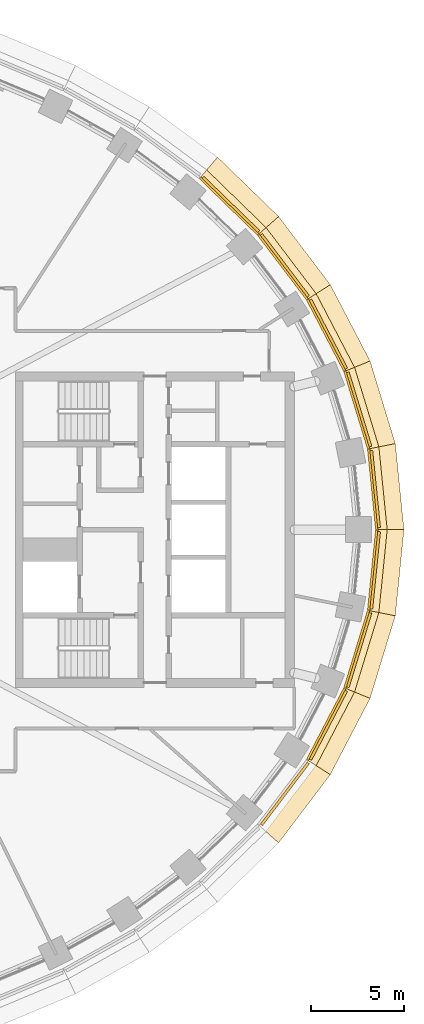
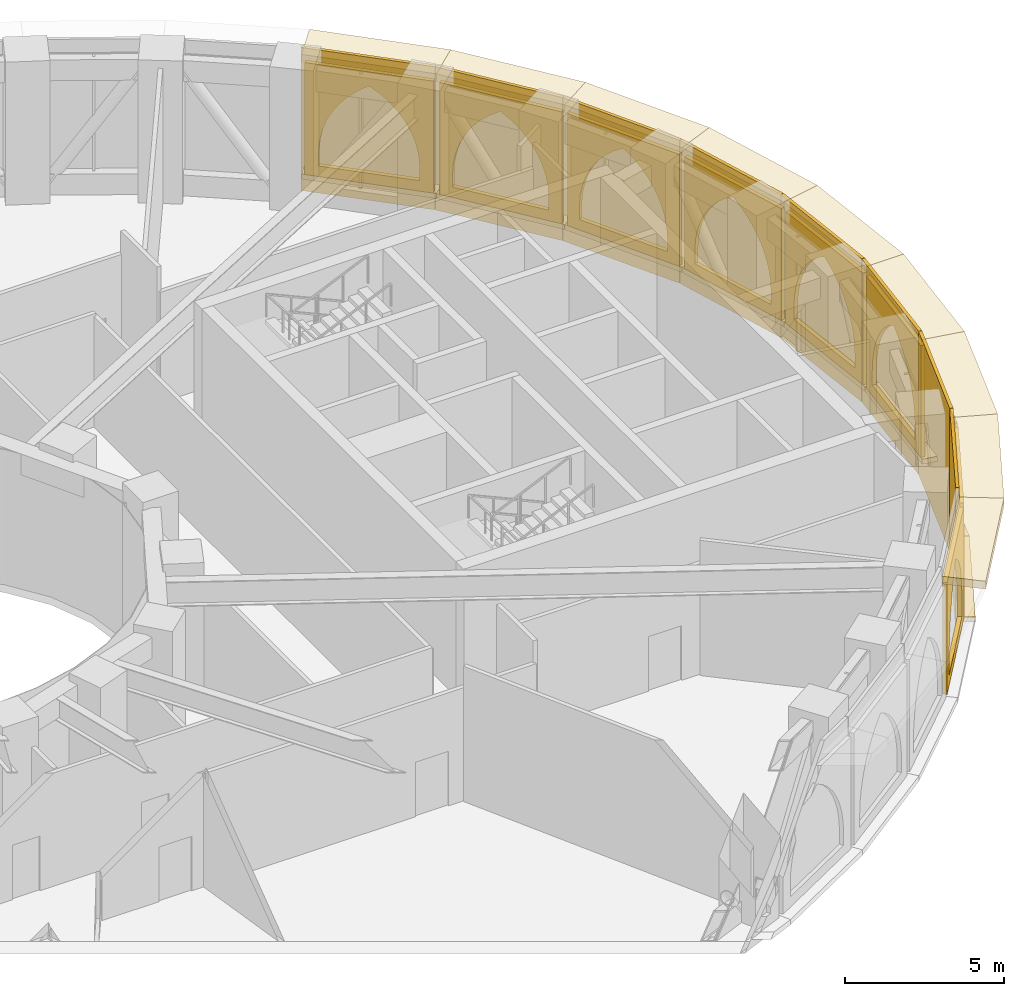
# One storey, part 25 of 25: 34 coverings.
"""IFC4 building model written with IfcOpenShell, lengths in metres."""

import ifcopenshell
import ifcopenshell.guid

model = None  # the IFC model being written
_history = None  # IfcOwnerHistory: only IFC2X3 demands one
_inside = {}  # id of a spatial element -> (the spatial element, [elements in it])
_under = {}  # id of a project, library or spatial element -> (it, [spatial elements below it])
_declared = {}  # id of a project -> (the project, [libraries it declares])
_typed = {}  # id of a type object -> (the type object, [elements of that type])
_made_of = {}  # id of a material, layer set ... -> (it, [elements and type objects made of it])


def new_model(schema):
    """Start an empty IFC model of exactly this schema.

    Asked for "IFC4X3", IfcOpenShell would pick the latest addendum, in which some entities
    have other attributes; the version numbers below select the first issue.
    IFC2X3 requires an IfcOwnerHistory on every rooted entity: one is made here for all.
    """
    global model, _history
    if schema == "IFC4X3":
        model = ifcopenshell.file(schema_version=(4, 3, 0, 0))
    else:
        model = ifcopenshell.file(schema=schema)
    _inside.clear()
    _under.clear()
    _declared.clear()
    _typed.clear()
    _made_of.clear()
    _history = None
    if model.schema == "IFC2X3":
        org = make("IfcOrganization", Name="unknown")
        user = make(
            "IfcPersonAndOrganization",
            ThePerson=make("IfcPerson", FamilyName="unknown"),
            TheOrganization=org,
        )
        app = make(
            "IfcApplication",
            ApplicationDeveloper=org,
            Version="unknown",
            ApplicationFullName="unknown",
            ApplicationIdentifier="unknown",
        )
        _history = make(
            "IfcOwnerHistory",
            OwningUser=user,
            OwningApplication=app,
            ChangeAction="ADDED",
            CreationDate=0,
        )
    return model


def make(cls, **values):
    """One entity of the class cls with the attributes given. An attribute that is None is left unset."""
    return model.create_entity(
        cls, **{name: value for name, value in values.items() if value is not None}
    )


def rooted(cls, **values):
    """An entity with a GlobalId (a new one), such as an element, a storey or a relation."""
    return make(cls, GlobalId=ifcopenshell.guid.new(), OwnerHistory=_history, **values)


def si_unit(unit_type, name, prefix=None):
    """IfcSIUnit, for example si_unit("LENGTHUNIT", "METRE", prefix="MILLI")."""
    return make("IfcSIUnit", UnitType=unit_type, Prefix=prefix, Name=name)


def assignment(units):
    """IfcUnitAssignment: the units of a project."""
    return None if units is None else make("IfcUnitAssignment", Units=units)


def point(xyz):
    """IfcCartesianPoint."""
    return None if xyz is None else make("IfcCartesianPoint", Coordinates=xyz)


def direction(xyz):
    """IfcDirection."""
    return None if xyz is None else make("IfcDirection", DirectionRatios=xyz)


def frame(location, z_axis=None, x_axis=None):
    """IfcAxis2Placement3D, a coordinate frame: its origin and axes. An axis left out is left unset."""
    return make(
        "IfcAxis2Placement3D",
        Location=point(location),
        Axis=direction(z_axis),
        RefDirection=direction(x_axis),
    )


def frame_2d(location, x_axis=None):
    """IfcAxis2Placement2D, a coordinate frame in the plane: its origin and x axis."""
    return make(
        "IfcAxis2Placement2D", Location=point(location), RefDirection=direction(x_axis)
    )


def origin():
    """The frame at (0, 0, 0) with its axes left unset."""
    return frame((0.0, 0.0, 0.0))


def origin_2d():
    """The frame at (0, 0) in the plane with its x axis left unset."""
    return frame_2d((0.0, 0.0))


def place(relative_to, where):
    """IfcLocalPlacement: puts the frame where relative to a parent placement (None: the world)."""
    return make(
        "IfcLocalPlacement", PlacementRelTo=relative_to, RelativePlacement=where
    )


def context(
    kind, dimensions, precision=None, world=None, true_north=None, identifier=None
):
    """IfcGeometricRepresentationContext, for example the 3D "Model" context."""
    return make(
        "IfcGeometricRepresentationContext",
        ContextIdentifier=identifier,
        ContextType=kind,
        CoordinateSpaceDimension=dimensions,
        Precision=precision,
        WorldCoordinateSystem=world,
        TrueNorth=true_north,
    )


def subcontext(parent, identifier, kind, view, scale=None):
    """IfcGeometricRepresentationSubContext, for example "Body" below "Model"."""
    return make(
        "IfcGeometricRepresentationSubContext",
        ContextIdentifier=identifier,
        ContextType=kind,
        ParentContext=parent,
        TargetScale=scale,
        TargetView=view,
    )


def project(units=None, contexts=None):
    """IfcProject with its units and contexts."""
    return rooted(
        "IfcProject",
        Name="project",
        RepresentationContexts=contexts,
        UnitsInContext=assignment(units),
    )


def spatial(cls, under=None, at=None, **own):
    """A site, building, storey or space (cls), placed at a placement, below another one or the project."""
    s = rooted(cls, ObjectPlacement=at, **own)
    if under is not None:
        _under.setdefault(under.id(), (under, []))[1].append(s)
    return s


def polyline(points):
    """IfcPolyline through the points."""
    return make("IfcPolyline", Points=[point(p) for p in points])


def profile(cls, at=None, kind="AREA", **sizes):
    """A parametric profile (cls). Its sizes go by their IFC names, for example OverallWidth=200.0."""
    return make(cls, ProfileType=kind, Position=at, **sizes)


def rectangle(**sizes):
    """IfcRectangleProfileDef."""
    return profile("IfcRectangleProfileDef", **sizes)


def outline(outer, holes=None, kind="AREA"):
    """IfcArbitraryClosedProfileDef: a profile drawn as a closed curve; with holes, ...WithVoids."""
    if holes is None:
        return make("IfcArbitraryClosedProfileDef", ProfileType=kind, OuterCurve=outer)
    return make(
        "IfcArbitraryProfileDefWithVoids",
        ProfileType=kind,
        OuterCurve=outer,
        InnerCurves=holes,
    )


def extrude(swept, where, along, depth):
    """IfcExtrudedAreaSolid: the profile swept, set in the frame where, extruded along a direction by depth."""
    return make(
        "IfcExtrudedAreaSolid",
        SweptArea=swept,
        Position=where,
        ExtrudedDirection=direction(along),
        Depth=depth,
    )


def shape(context_of_items, identifier, shape_type, items):
    """IfcShapeRepresentation: the items that make up one representation, for example the "Body"."""
    return make(
        "IfcShapeRepresentation",
        ContextOfItems=context_of_items,
        RepresentationIdentifier=identifier,
        RepresentationType=shape_type,
        Items=items,
    )


def material(Name=None, Category=None):
    """IfcMaterial."""
    return make("IfcMaterial", Name=Name, Category=Category)


def layer(
    of_material, thickness, ventilated=None, Name=None, Category=None, Priority=None
):
    """IfcMaterialLayer: one layer of a wall or slab, of a material (None: an air gap)."""
    return make(
        "IfcMaterialLayer",
        Material=of_material,
        LayerThickness=thickness,
        IsVentilated=ventilated,
        Name=Name,
        Category=Category,
        Priority=Priority,
    )


def layer_set(layers, Name=None):
    """IfcMaterialLayerSet."""
    return make("IfcMaterialLayerSet", MaterialLayers=layers, LayerSetName=Name)


def made_of(thing, what):
    """Note that an element or type object is made of a material, layer set ...; save() writes the relation."""
    if what is not None:
        _made_of.setdefault(what.id(), (what, []))[1].append(thing)
    return thing


def type_object(cls, material=None, **own):
    """A type object (cls), such as IfcWallType, which elements share."""
    return made_of(rooted(cls, **own), material)


def element(
    cls,
    number,
    at=None,
    inside=None,
    cuts=None,
    type_object=None,
    material=None,
    context=None,
    identifier="Body",
    shape_type=None,
    held_by="IfcProductDefinitionShape",
    body=None,
    shapes=None,
    **own,
):
    """One element of the class cls, such as IfcWall. Its Tag is "e" and its number.

    at: its placement. inside: the storey or other place that contains it. cuts: it is an
    opening in that element (IfcRelVoidsElement). A single representation is given by context,
    identifier, shape_type and body (its items); several are given by shapes. held_by: the class
    of the entity that holds the representations. save() writes the other relations.
    """
    e = rooted(cls, Tag="e%d" % number, ObjectPlacement=at, **own)
    if body is not None:
        shapes = [shape(context, identifier, shape_type, body)]
    if shapes is not None:
        e.Representation = make(held_by, Representations=shapes)
    if inside is not None:
        _inside.setdefault(inside.id(), (inside, []))[1].append(e)
    if cuts is not None:
        rooted(
            "IfcRelVoidsElement", RelatingBuildingElement=cuts, RelatedOpeningElement=e
        )
    if type_object is not None:
        _typed.setdefault(type_object.id(), (type_object, []))[1].append(e)
    return made_of(e, material)


def aggregate(whole, parts):
    """IfcRelAggregates: a whole, such as a stair, and the parts it consists of."""
    return rooted("IfcRelAggregates", RelatingObject=whole, RelatedObjects=parts)


def save(model, path):
    """Write the relations noted so far, then the file.

    IfcRelAggregates (storeys below a building ...), IfcRelContainedInSpatialStructure (elements
    in a storey), IfcRelDefinesByType, IfcRelAssociatesMaterial and IfcRelDeclares: one each for
    every whole, place, type object, material and project.
    """
    for whole, parts in _under.values():
        aggregate(whole, parts)
    for where, things in _inside.values():
        rooted(
            "IfcRelContainedInSpatialStructure",
            RelatedElements=things,
            RelatingStructure=where,
        )
    for kind, things in _typed.values():
        rooted("IfcRelDefinesByType", RelatedObjects=things, RelatingType=kind)
    for what, things in _made_of.values():
        rooted("IfcRelAssociatesMaterial", RelatedObjects=things, RelatingMaterial=what)
    for by, libraries in _declared.values():
        rooted("IfcRelDeclares", RelatingContext=by, RelatedDefinitions=libraries)
    model.write(path)


model = new_model("IFC4")

# Units and contexts
model_context = context("Model", 3, precision=1e-05, world=origin(), true_north=direction((0.0, 1.0)))
body_context = subcontext(model_context, "Body", "Model", "MODEL_VIEW")
ifc_project = project(units=[si_unit("LENGTHUNIT", "METRE"), si_unit("AREAUNIT", "SQUARE_METRE"), si_unit("VOLUMEUNIT", "CUBIC_METRE"), si_unit("PLANEANGLEUNIT", "RADIAN"), si_unit("MASSUNIT", "GRAM", prefix="KILO")], contexts=[model_context])

# Site, building, storey
site_placement = place(None, origin())
site = spatial("IfcSite", under=ifc_project, at=site_placement, CompositionType="ELEMENT")
building_placement = place(site_placement, origin())
building = spatial("IfcBuilding", under=site, at=building_placement, Name="Noorbagh Ring Tower", CompositionType="ELEMENT")
storey_placement = place(building_placement, frame((0.0, 0.0, 82.5)))
storey = spatial("IfcBuildingStorey", under=building, at=storey_placement, Name="L18", CompositionType="ELEMENT", Elevation=82.5)

# Coverings
ifc_material_1 = material(Name="Aluminium 6063-T6 black anodised", Category="aluminium")
ifc_layer_1 = layer(ifc_material_1, 0.1201171875)
ifc_layer_set_1 = layer_set([ifc_layer_1], Name="Aluminium 6063-T6 black anodised")
covering_type_1 = type_object("IfcCoveringType", Name="ENV-LOUVRE-BAND", PredefinedType="CLADDING", material=ifc_layer_set_1)
covering_1_placement = place(storey_placement, frame((35.720947265625, 2.17333984375, -0.300048828125), z_axis=(0.0, 0.0, 1.0), x_axis=(-0.100178263068, 0.994969504864, 0.0)))
element("IfcCovering", 1, at=covering_1_placement, inside=storey, type_object=covering_type_1, Name="Louvre screen chord 01", ObjectType="LOUVRE", PredefinedType="CLADDING", context=body_context, shape_type="SweptSolid", body=[
    extrude(rectangle(XDim=4.34423828125, YDim=0.1201171875, at=origin_2d()), origin(), (0.0, 0.0, 1.0), 5.5),
])
covering_2_placement = place(storey_placement, frame((34.86376953125, 6.436279296875, -0.300048828125), z_axis=(0.0, 0.0, 1.0), x_axis=(-0.292170066961, 0.95636637957, 0.0)))
element("IfcCovering", 2, at=covering_2_placement, inside=storey, type_object=covering_type_1, Name="Louvre screen chord 02", ObjectType="LOUVRE", PredefinedType="CLADDING", context=body_context, shape_type="SweptSolid", body=[
    extrude(rectangle(XDim=4.344970703125, YDim=0.1201171875, at=origin_2d()), origin(), (0.0, 0.0, 1.0), 5.5),
])
covering_3_placement = place(storey_placement, frame((33.21484375, 10.464111328125, -0.300048828125), z_axis=(0.0, 0.0, 1.0), x_axis=(-0.462278064231, 0.88673501754, 0.0)))
element("IfcCovering", 3, at=covering_3_placement, inside=storey, type_object=covering_type_1, Name="Louvre screen chord 03", ObjectType="LOUVRE", PredefinedType="CLADDING", context=body_context, shape_type="SweptSolid", body=[
    extrude(rectangle(XDim=4.345947265625, YDim=0.1201171875, at=origin_2d()), origin(), (0.0, 0.0, 1.0), 5.5),
])
covering_4_placement = place(storey_placement, frame((30.883544921875, 14.145263671875, -0.300048828125), z_axis=(0.0, 0.0, 1.0), x_axis=(-0.604020184358, 0.796969018776, 0.0)))
element("IfcCovering", 4, at=covering_4_placement, inside=storey, type_object=covering_type_1, Name="Louvre screen chord 04", ObjectType="LOUVRE", PredefinedType="CLADDING", context=body_context, shape_type="SweptSolid", body=[
    extrude(rectangle(XDim=4.346923828125, YDim=0.1201171875, at=origin_2d()), origin(), (0.0, 0.0, 1.0), 5.5),
])
covering_5_placement = place(storey_placement, frame((27.993408203125, 17.41259765625, -0.300048828125), z_axis=(0.0, 0.0, 1.0), x_axis=(-0.717224548362, 0.696842125038, 0.0)))
element("IfcCovering", 5, at=covering_5_placement, inside=storey, type_object=covering_type_1, Name="Louvre screen chord 05", ObjectType="LOUVRE", PredefinedType="CLADDING", context=body_context, shape_type="SweptSolid", body=[
    extrude(rectangle(XDim=4.347900390625, YDim=0.1201171875, at=origin_2d()), origin(), (0.0, 0.0, 1.0), 5.5),
])
covering_6_placement = place(storey_placement, frame((33.21484375, -10.464111328125, -0.300048828125), z_axis=(0.0, 0.0, 1.0), x_axis=(0.462278064231, 0.88673501754, 0.0)))
element("IfcCovering", 6, at=covering_6_placement, inside=storey, type_object=covering_type_1, Name="Louvre screen chord 44", ObjectType="LOUVRE", PredefinedType="CLADDING", context=body_context, shape_type="SweptSolid", body=[
    extrude(rectangle(XDim=4.345947265625, YDim=0.1201171875, at=origin_2d()), origin(), (0.0, 0.0, 1.0), 5.5),
])
covering_7_placement = place(storey_placement, frame((34.86376953125, -6.436279296875, -0.300048828125), z_axis=(0.0, 0.0, 1.0), x_axis=(0.292170066961, 0.95636637957, 0.0)))
element("IfcCovering", 7, at=covering_7_placement, inside=storey, type_object=covering_type_1, Name="Louvre screen chord 45", ObjectType="LOUVRE", PredefinedType="CLADDING", context=body_context, shape_type="SweptSolid", body=[
    extrude(rectangle(XDim=4.344970703125, YDim=0.1201171875, at=origin_2d()), origin(), (0.0, 0.0, 1.0), 5.5),
])
covering_8_placement = place(storey_placement, frame((35.720947265625, -2.17333984375, -0.300048828125), z_axis=(0.0, 0.0, 1.0), x_axis=(0.100178263068, 0.994969504864, 0.0)))
element("IfcCovering", 8, at=covering_8_placement, inside=storey, type_object=covering_type_1, Name="Louvre screen chord 46", ObjectType="LOUVRE", PredefinedType="CLADDING", context=body_context, shape_type="SweptSolid", body=[
    extrude(rectangle(XDim=4.34423828125, YDim=0.1201171875, at=origin_2d()), origin(), (0.0, 0.0, 1.0), 5.5),
])
ifc_material_2 = material(Name="Red sandstone cladding", Category="masonry")
ifc_layer_2 = layer(ifc_material_2, 0.14990234375)
ifc_layer_set_2 = layer_set([ifc_layer_2], Name="Red sandstone cladding")
covering_type_2 = type_object("IfcCoveringType", Name="STYLE-BAND-ARCADE", PredefinedType="USERDEFINED", material=ifc_layer_set_2)
covering_9_placement = place(storey_placement, frame((36.13916015625, 0.114501953125, 0.25), z_axis=(0.99497222215, 0.100151271334, 0.0), x_axis=(-0.100151271334, 0.99497222215, 0.0)))
element("IfcCovering", 9, at=covering_9_placement, inside=storey, type_object=covering_type_2, Name="Blind arch bay of the band", ObjectType="ARCH", PredefinedType="USERDEFINED", context=body_context, shape_type="SweptSolid", body=[
    extrude(outline(polyline([(0.0, 0.0), (4.1806640625, 0.0), (4.1806640625, 4.300048828125), (0.0, 4.300048828125), (0.0, 0.0)]), holes=[polyline([(0.449951171875, 0.39990234375), (0.449951171875, 0.908935546875), (0.47802734375, 1.337158203125), (0.561767578125, 1.758056640625), (0.69970703125, 2.164306640625), (0.889404296875, 2.54931640625), (1.1279296875, 2.906005859375), (1.410888671875, 3.228759765625), (1.7333984375, 3.51171875), (2.09033203125, 3.75), (2.447265625, 3.51171875), (2.769775390625, 3.228759765625), (3.052734375, 2.906005859375), (3.291259765625, 2.54931640625), (3.48095703125, 2.164306640625), (3.618896484375, 1.758056640625), (3.70263671875, 1.337158203125), (3.730712890625, 0.908935546875), (3.730712890625, 0.39990234375), (0.449951171875, 0.39990234375)])]), origin(), (0.0, 0.0, -1.0), 0.14990234375),
])
covering_10_placement = place(storey_placement, frame((35.67529296875, 4.498046875, 0.25), z_axis=(0.956367886414, 0.292165134531, 0.0), x_axis=(-0.292165134531, 0.956367886414, 0.0)))
element("IfcCovering", 10, at=covering_10_placement, inside=storey, type_object=covering_type_2, Name="Blind arch bay of the band", ObjectType="ARCH", PredefinedType="USERDEFINED", context=body_context, shape_type="SweptSolid", body=[
    extrude(outline(polyline([(0.0, 0.0), (4.181396484375, 0.0), (4.181396484375, 4.300048828125), (0.0, 4.300048828125), (0.0, 0.0)]), holes=[polyline([(0.449951171875, 0.39990234375), (0.449951171875, 0.908447265625), (0.47802734375, 1.336669921875), (0.561767578125, 1.757568359375), (0.69970703125, 2.1640625), (0.8896484375, 2.549072265625), (1.128173828125, 2.906005859375), (1.4111328125, 3.228515625), (1.73388671875, 3.51171875), (2.0908203125, 3.75), (2.447509765625, 3.51171875), (2.770263671875, 3.228515625), (3.05322265625, 2.906005859375), (3.291748046875, 2.549072265625), (3.4814453125, 2.1640625), (3.619384765625, 1.757568359375), (3.703125, 1.336669921875), (3.731201171875, 0.908447265625), (3.731201171875, 0.39990234375), (0.449951171875, 0.39990234375)])]), origin(), (0.0, 0.0, -1.0), 0.14990234375),
])
covering_11_placement = place(storey_placement, frame((34.367919921875, 8.706787109375, 0.25), z_axis=(0.886709716342, 0.462326593379, 0.0), x_axis=(-0.462326593379, 0.886709716342, 0.0)))
element("IfcCovering", 11, at=covering_11_placement, inside=storey, type_object=covering_type_2, Name="Blind arch bay of the band", ObjectType="ARCH", PredefinedType="USERDEFINED", context=body_context, shape_type="SweptSolid", body=[
    extrude(outline(polyline([(0.0, 0.0), (4.182373046875, 0.0), (4.182373046875, 4.300048828125), (0.0, 4.300048828125), (0.0, 0.0)]), holes=[polyline([(0.449951171875, 0.39990234375), (0.449951171875, 0.907470703125), (0.47802734375, 1.3359375), (0.561767578125, 1.757080078125), (0.699951171875, 2.16357421875), (0.8896484375, 2.548583984375), (1.12841796875, 2.90576171875), (1.411376953125, 3.228515625), (1.734130859375, 3.51171875), (2.09130859375, 3.75), (2.447998046875, 3.51171875), (2.77099609375, 3.228515625), (3.053955078125, 2.90576171875), (3.29248046875, 2.548583984375), (3.482421875, 2.16357421875), (3.62060546875, 1.757080078125), (3.7041015625, 1.3359375), (3.732421875, 0.907470703125), (3.732421875, 0.39990234375), (0.449951171875, 0.39990234375)])]), origin(), (0.0, 0.0, -1.0), 0.14990234375),
])
covering_12_placement = place(storey_placement, frame((32.314453125, 12.60498046875, 0.25), z_axis=(0.796985737541, 0.603998124299, 0.0), x_axis=(-0.603998124299, 0.796985737541, 0.0)))
element("IfcCovering", 12, at=covering_12_placement, inside=storey, type_object=covering_type_2, Name="Blind arch bay of the band", ObjectType="ARCH", PredefinedType="USERDEFINED", context=body_context, shape_type="SweptSolid", body=[
    extrude(outline(polyline([(0.0, 0.0), (4.18359375, 0.0), (4.18359375, 4.300048828125), (0.0, 4.300048828125), (0.0, 0.0)]), holes=[polyline([(0.449951171875, 0.39990234375), (0.449951171875, 0.906494140625), (0.47802734375, 1.335205078125), (0.56201171875, 1.75634765625), (0.699951171875, 2.1630859375), (0.889892578125, 2.54833984375), (1.12841796875, 2.905517578125), (1.41162109375, 3.228271484375), (1.734619140625, 3.511474609375), (2.091796875, 3.75), (2.44873046875, 3.511474609375), (2.771728515625, 3.228271484375), (3.054931640625, 2.905517578125), (3.29345703125, 2.54833984375), (3.4833984375, 2.1630859375), (3.62158203125, 1.75634765625), (3.705322265625, 1.335205078125), (3.7333984375, 0.906494140625), (3.7333984375, 0.39990234375), (0.449951171875, 0.39990234375)])]), origin(), (0.0, 0.0, -1.0), 0.14990234375),
])
covering_13_placement = place(storey_placement, frame((29.640380859375, 16.10546875, 0.25), z_axis=(0.696851724238, 0.717215221831, 0.0), x_axis=(-0.717215221831, 0.696851724238, 0.0)))
element("IfcCovering", 13, at=covering_13_placement, inside=storey, type_object=covering_type_2, Name="Blind arch bay of the band", ObjectType="ARCH", PredefinedType="USERDEFINED", context=body_context, shape_type="SweptSolid", body=[
    extrude(outline(polyline([(0.0, 0.0), (4.184326171875, 0.0), (4.184326171875, 4.300048828125), (0.0, 4.300048828125), (0.0, 0.0)]), holes=[polyline([(0.449951171875, 0.39990234375), (0.449951171875, 0.90576171875), (0.47802734375, 1.33447265625), (0.56201171875, 1.755859375), (0.699951171875, 2.16259765625), (0.889892578125, 2.548095703125), (1.128662109375, 2.9052734375), (1.411865234375, 3.228271484375), (1.73486328125, 3.511474609375), (2.092041015625, 3.75), (2.44921875, 3.511474609375), (2.772216796875, 3.228271484375), (3.0556640625, 2.9052734375), (3.294189453125, 2.548095703125), (3.484130859375, 2.16259765625), (3.622314453125, 1.755859375), (3.706298828125, 1.33447265625), (3.734130859375, 0.90576171875), (3.734130859375, 0.39990234375), (0.449951171875, 0.39990234375)])]), origin(), (0.0, 0.0, -1.0), 0.14990234375),
])
covering_14_placement = place(storey_placement, frame((29.78759765625, -15.939208984375, 0.25), z_axis=(0.796985737541, -0.603998124299, 0.0), x_axis=(0.603998124299, 0.796985737541, 0.0)))
element("IfcCovering", 14, at=covering_14_placement, inside=storey, type_object=covering_type_2, Name="Blind arch bay of the band", ObjectType="ARCH", PredefinedType="USERDEFINED", context=body_context, shape_type="SweptSolid", body=[
    extrude(outline(polyline([(0.0, 0.0), (4.18359375, 0.0), (4.18359375, 4.300048828125), (0.0, 4.300048828125), (0.0, 0.0)]), holes=[polyline([(0.449951171875, 0.39990234375), (0.449951171875, 0.906494140625), (0.47802734375, 1.335205078125), (0.56201171875, 1.75634765625), (0.699951171875, 2.1630859375), (0.889892578125, 2.54833984375), (1.12841796875, 2.905517578125), (1.41162109375, 3.228271484375), (1.734619140625, 3.511474609375), (2.091796875, 3.75), (2.44873046875, 3.511474609375), (2.771728515625, 3.228271484375), (3.054931640625, 2.905517578125), (3.29345703125, 2.54833984375), (3.4833984375, 2.1630859375), (3.62158203125, 1.75634765625), (3.705322265625, 1.335205078125), (3.7333984375, 0.906494140625), (3.7333984375, 0.39990234375), (0.449951171875, 0.39990234375)])]), origin(), (0.0, 0.0, -1.0), 0.14990234375),
])
covering_15_placement = place(storey_placement, frame((32.434326171875, -12.415283203125, 0.25), z_axis=(0.886709716342, -0.462326593379, 0.0), x_axis=(0.462326593379, 0.886709716342, 0.0)))
element("IfcCovering", 15, at=covering_15_placement, inside=storey, type_object=covering_type_2, Name="Blind arch bay of the band", ObjectType="ARCH", PredefinedType="USERDEFINED", context=body_context, shape_type="SweptSolid", body=[
    extrude(outline(polyline([(0.0, 0.0), (4.182373046875, 0.0), (4.182373046875, 4.300048828125), (0.0, 4.300048828125), (0.0, 0.0)]), holes=[polyline([(0.449951171875, 0.39990234375), (0.449951171875, 0.907470703125), (0.47802734375, 1.3359375), (0.561767578125, 1.757080078125), (0.699951171875, 2.16357421875), (0.8896484375, 2.548583984375), (1.12841796875, 2.90576171875), (1.411376953125, 3.228515625), (1.734130859375, 3.51171875), (2.09130859375, 3.75), (2.447998046875, 3.51171875), (2.77099609375, 3.228515625), (3.053955078125, 2.90576171875), (3.29248046875, 2.548583984375), (3.482421875, 2.16357421875), (3.62060546875, 1.757080078125), (3.7041015625, 1.3359375), (3.732421875, 0.907470703125), (3.732421875, 0.39990234375), (0.449951171875, 0.39990234375)])]), origin(), (0.0, 0.0, -1.0), 0.14990234375),
])
covering_16_placement = place(storey_placement, frame((34.45361328125, -8.4970703125, 0.25), z_axis=(0.956367886414, -0.292165134531, 0.0), x_axis=(0.292165134531, 0.956367886414, 0.0)))
element("IfcCovering", 16, at=covering_16_placement, inside=storey, type_object=covering_type_2, Name="Blind arch bay of the band", ObjectType="ARCH", PredefinedType="USERDEFINED", context=body_context, shape_type="SweptSolid", body=[
    extrude(outline(polyline([(0.0, 0.0), (4.181396484375, 0.0), (4.181396484375, 4.300048828125), (0.0, 4.300048828125), (0.0, 0.0)]), holes=[polyline([(0.449951171875, 0.39990234375), (0.449951171875, 0.908447265625), (0.47802734375, 1.336669921875), (0.561767578125, 1.757568359375), (0.69970703125, 2.1640625), (0.8896484375, 2.549072265625), (1.128173828125, 2.906005859375), (1.4111328125, 3.228515625), (1.73388671875, 3.51171875), (2.0908203125, 3.75), (2.447509765625, 3.51171875), (2.770263671875, 3.228515625), (3.05322265625, 2.906005859375), (3.291748046875, 2.549072265625), (3.4814453125, 2.1640625), (3.619384765625, 1.757568359375), (3.703125, 1.336669921875), (3.731201171875, 0.908447265625), (3.731201171875, 0.39990234375), (0.449951171875, 0.39990234375)])]), origin(), (0.0, 0.0, -1.0), 0.14990234375),
])
covering_17_placement = place(storey_placement, frame((35.720458984375, -4.274169921875, 0.25), z_axis=(0.99497222215, -0.100151271334, 0.0), x_axis=(0.100151271334, 0.99497222215, 0.0)))
element("IfcCovering", 17, at=covering_17_placement, inside=storey, type_object=covering_type_2, Name="Blind arch bay of the band", ObjectType="ARCH", PredefinedType="USERDEFINED", context=body_context, shape_type="SweptSolid", body=[
    extrude(outline(polyline([(0.0, 0.0), (4.1806640625, 0.0), (4.1806640625, 4.300048828125), (0.0, 4.300048828125), (0.0, 0.0)]), holes=[polyline([(0.449951171875, 0.39990234375), (0.449951171875, 0.908935546875), (0.47802734375, 1.337158203125), (0.561767578125, 1.758056640625), (0.69970703125, 2.164306640625), (0.889404296875, 2.54931640625), (1.1279296875, 2.906005859375), (1.410888671875, 3.228759765625), (1.7333984375, 3.51171875), (2.09033203125, 3.75), (2.447265625, 3.51171875), (2.769775390625, 3.228759765625), (3.052734375, 2.906005859375), (3.291259765625, 2.54931640625), (3.48095703125, 2.164306640625), (3.618896484375, 1.758056640625), (3.70263671875, 1.337158203125), (3.730712890625, 0.908935546875), (3.730712890625, 0.39990234375), (0.449951171875, 0.39990234375)])]), origin(), (0.0, 0.0, -1.0), 0.14990234375),
])
ifc_material_3 = material(Name="Red sandstone eave", Category="masonry")
covering_type_3 = type_object("IfcCoveringType", Name="STYLE-BAND-EAVE", PredefinedType="USERDEFINED", material=ifc_material_3)
covering_18_placement = place(storey_placement, frame((0.0, 0.0, 4.550048828125)))
element("IfcCovering", 18, at=covering_18_placement, inside=storey, type_object=covering_type_3, Name="Chhajja eave", ObjectType="CHHAJJA", PredefinedType="USERDEFINED", context=body_context, shape_type="SweptSolid", body=[
    extrude(outline(polyline([(36.0, 0.0), (35.561279296875, 4.358642578125), (36.940185546875, 4.635986328125), (37.406982421875, 0.0), (36.0, 0.0)])), origin(), (0.0, 0.0, 1.0), 0.300048828125),
])
covering_19_placement = place(storey_placement, frame((0.0, 0.0, 4.550048828125)))
element("IfcCovering", 19, at=covering_19_placement, inside=storey, type_object=covering_type_3, Name="Chhajja eave", ObjectType="CHHAJJA", PredefinedType="USERDEFINED", context=body_context, shape_type="SweptSolid", body=[
    extrude(outline(polyline([(35.561279296875, 4.358642578125), (34.281005859375, 8.548828125), (35.582275390625, 9.081298828125), (36.940185546875, 4.635986328125), (35.561279296875, 4.358642578125)])), origin(), (0.0, 0.0, 1.0), 0.300048828125),
])
covering_20_placement = place(storey_placement, frame((0.0, 0.0, 4.550048828125)))
element("IfcCovering", 20, at=covering_20_placement, inside=storey, type_object=covering_type_3, Name="Chhajja eave", ObjectType="CHHAJJA", PredefinedType="USERDEFINED", context=body_context, shape_type="SweptSolid", body=[
    extrude(outline(polyline([(34.281005859375, 8.548828125), (32.255126953125, 12.434814453125), (33.442138671875, 13.186279296875), (35.582275390625, 9.081298828125), (34.281005859375, 8.548828125)])), origin(), (0.0, 0.0, 1.0), 0.300048828125),
])
covering_21_placement = place(storey_placement, frame((0.0, 0.0, 4.550048828125)))
element("IfcCovering", 21, at=covering_21_placement, inside=storey, type_object=covering_type_3, Name="Chhajja eave", ObjectType="CHHAJJA", PredefinedType="USERDEFINED", context=body_context, shape_type="SweptSolid", body=[
    extrude(outline(polyline([(32.255126953125, 12.434814453125), (29.607666015625, 15.927978515625), (30.6591796875, 16.8583984375), (33.442138671875, 13.186279296875), (32.255126953125, 12.434814453125)])), origin(), (0.0, 0.0, 1.0), 0.300048828125),
])
covering_22_placement = place(storey_placement, frame((0.0, 0.0, 4.550048828125)))
element("IfcCovering", 22, at=covering_22_placement, inside=storey, type_object=covering_type_3, Name="Chhajja eave", ObjectType="CHHAJJA", PredefinedType="USERDEFINED", context=body_context, shape_type="SweptSolid", body=[
    extrude(outline(polyline([(29.607666015625, 15.927978515625), (26.463134765625, 18.9833984375), (27.3701171875, 20.053955078125), (30.6591796875, 16.8583984375), (29.607666015625, 15.927978515625)])), origin(), (0.0, 0.0, 1.0), 0.300048828125),
])
covering_23_placement = place(storey_placement, frame((0.0, 0.0, 4.550048828125)))
element("IfcCovering", 23, at=covering_23_placement, inside=storey, type_object=covering_type_3, Name="Chhajja eave", ObjectType="CHHAJJA", PredefinedType="USERDEFINED", context=body_context, shape_type="SweptSolid", body=[
    extrude(outline(polyline([(29.607666015625, -15.927978515625), (32.255126953125, -12.434814453125), (33.442138671875, -13.186279296875), (30.6591796875, -16.8583984375), (29.607666015625, -15.927978515625)])), origin(), (0.0, 0.0, 1.0), 0.300048828125),
])
covering_24_placement = place(storey_placement, frame((0.0, 0.0, 4.550048828125)))
element("IfcCovering", 24, at=covering_24_placement, inside=storey, type_object=covering_type_3, Name="Chhajja eave", ObjectType="CHHAJJA", PredefinedType="USERDEFINED", context=body_context, shape_type="SweptSolid", body=[
    extrude(outline(polyline([(32.255126953125, -12.434814453125), (34.281005859375, -8.548828125), (35.582275390625, -9.081298828125), (33.442138671875, -13.186279296875), (32.255126953125, -12.434814453125)])), origin(), (0.0, 0.0, 1.0), 0.300048828125),
])
covering_25_placement = place(storey_placement, frame((0.0, 0.0, 4.550048828125)))
element("IfcCovering", 25, at=covering_25_placement, inside=storey, type_object=covering_type_3, Name="Chhajja eave", ObjectType="CHHAJJA", PredefinedType="USERDEFINED", context=body_context, shape_type="SweptSolid", body=[
    extrude(outline(polyline([(34.281005859375, -8.548828125), (35.561279296875, -4.358642578125), (36.940185546875, -4.635986328125), (35.582275390625, -9.081298828125), (34.281005859375, -8.548828125)])), origin(), (0.0, 0.0, 1.0), 0.300048828125),
])
covering_26_placement = place(storey_placement, frame((0.0, 0.0, 4.550048828125)))
element("IfcCovering", 26, at=covering_26_placement, inside=storey, type_object=covering_type_3, Name="Chhajja eave", ObjectType="CHHAJJA", PredefinedType="USERDEFINED", context=body_context, shape_type="SweptSolid", body=[
    extrude(outline(polyline([(35.561279296875, -4.358642578125), (36.0, 0.0), (37.406982421875, 0.0), (36.940185546875, -4.635986328125), (35.561279296875, -4.358642578125)])), origin(), (0.0, 0.0, 1.0), 0.300048828125),
])
ifc_material_4 = material(Name="Red sandstone eave", Category="masonry")
covering_type_4 = type_object("IfcCoveringType", Name="STYLE-BAND-SILL", PredefinedType="USERDEFINED", material=ifc_material_4)
covering_27_placement = place(storey_placement, frame((0.0, 0.0, 0.050048828125)))
element("IfcCovering", 27, at=covering_27_placement, inside=storey, type_object=covering_type_4, Name="Sill ledge", ObjectType="CHHAJJA", PredefinedType="USERDEFINED", context=body_context, shape_type="SweptSolid", body=[
    extrude(outline(polyline([(36.0, 0.0), (35.561279296875, 4.358642578125), (36.0537109375, 4.457763671875), (36.50244140625, 0.0), (36.0, 0.0)])), origin(), (0.0, 0.0, 1.0), 0.199951171875),
])
covering_28_placement = place(storey_placement, frame((0.0, 0.0, 0.050048828125)))
element("IfcCovering", 28, at=covering_28_placement, inside=storey, type_object=covering_type_4, Name="Sill ledge", ObjectType="CHHAJJA", PredefinedType="USERDEFINED", context=body_context, shape_type="SweptSolid", body=[
    extrude(outline(polyline([(35.561279296875, 4.358642578125), (34.281005859375, 8.548828125), (34.745849609375, 8.739013671875), (36.0537109375, 4.457763671875), (35.561279296875, 4.358642578125)])), origin(), (0.0, 0.0, 1.0), 0.199951171875),
])
covering_29_placement = place(storey_placement, frame((0.0, 0.0, 0.050048828125)))
element("IfcCovering", 29, at=covering_29_placement, inside=storey, type_object=covering_type_4, Name="Sill ledge", ObjectType="CHHAJJA", PredefinedType="USERDEFINED", context=body_context, shape_type="SweptSolid", body=[
    extrude(outline(polyline([(34.281005859375, 8.548828125), (32.255126953125, 12.434814453125), (32.67919921875, 12.703125), (34.745849609375, 8.739013671875), (34.281005859375, 8.548828125)])), origin(), (0.0, 0.0, 1.0), 0.199951171875),
])
covering_30_placement = place(storey_placement, frame((0.0, 0.0, 0.050048828125)))
element("IfcCovering", 30, at=covering_30_placement, inside=storey, type_object=covering_type_4, Name="Sill ledge", ObjectType="CHHAJJA", PredefinedType="USERDEFINED", context=body_context, shape_type="SweptSolid", body=[
    extrude(outline(polyline([(32.255126953125, 12.434814453125), (29.607666015625, 15.927978515625), (29.983154296875, 16.260498046875), (32.67919921875, 12.703125), (32.255126953125, 12.434814453125)])), origin(), (0.0, 0.0, 1.0), 0.199951171875),
])
covering_31_placement = place(storey_placement, frame((0.0, 0.0, 0.050048828125)))
element("IfcCovering", 31, at=covering_31_placement, inside=storey, type_object=covering_type_4, Name="Sill ledge", ObjectType="CHHAJJA", PredefinedType="USERDEFINED", context=body_context, shape_type="SweptSolid", body=[
    extrude(outline(polyline([(29.607666015625, 15.927978515625), (26.463134765625, 18.9833984375), (26.787109375, 19.365478515625), (29.983154296875, 16.260498046875), (29.607666015625, 15.927978515625)])), origin(), (0.0, 0.0, 1.0), 0.199951171875),
])
covering_32_placement = place(storey_placement, frame((0.0, 0.0, 0.050048828125)))
element("IfcCovering", 32, at=covering_32_placement, inside=storey, type_object=covering_type_4, Name="Sill ledge", ObjectType="CHHAJJA", PredefinedType="USERDEFINED", context=body_context, shape_type="SweptSolid", body=[
    extrude(outline(polyline([(32.255126953125, -12.434814453125), (34.281005859375, -8.548828125), (34.745849609375, -8.739013671875), (32.67919921875, -12.703125), (32.255126953125, -12.434814453125)])), origin(), (0.0, 0.0, 1.0), 0.199951171875),
])
covering_33_placement = place(storey_placement, frame((0.0, 0.0, 0.050048828125)))
element("IfcCovering", 33, at=covering_33_placement, inside=storey, type_object=covering_type_4, Name="Sill ledge", ObjectType="CHHAJJA", PredefinedType="USERDEFINED", context=body_context, shape_type="SweptSolid", body=[
    extrude(outline(polyline([(34.281005859375, -8.548828125), (35.561279296875, -4.358642578125), (36.0537109375, -4.457763671875), (34.745849609375, -8.739013671875), (34.281005859375, -8.548828125)])), origin(), (0.0, 0.0, 1.0), 0.199951171875),
])
covering_34_placement = place(storey_placement, frame((0.0, 0.0, 0.050048828125)))
element("IfcCovering", 34, at=covering_34_placement, inside=storey, type_object=covering_type_4, Name="Sill ledge", ObjectType="CHHAJJA", PredefinedType="USERDEFINED", context=body_context, shape_type="SweptSolid", body=[
    extrude(outline(polyline([(35.561279296875, -4.358642578125), (36.0, 0.0), (36.50244140625, 0.0), (36.0537109375, -4.457763671875), (35.561279296875, -4.358642578125)])), origin(), (0.0, 0.0, 1.0), 0.199951171875),
])

save(model, "model.ifc")
